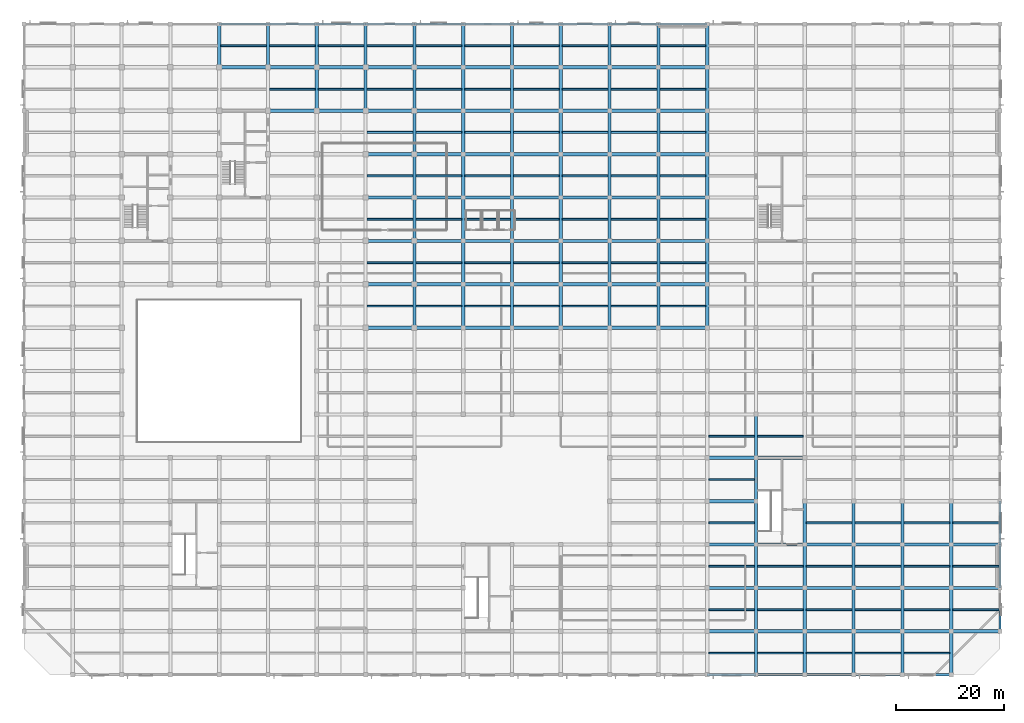
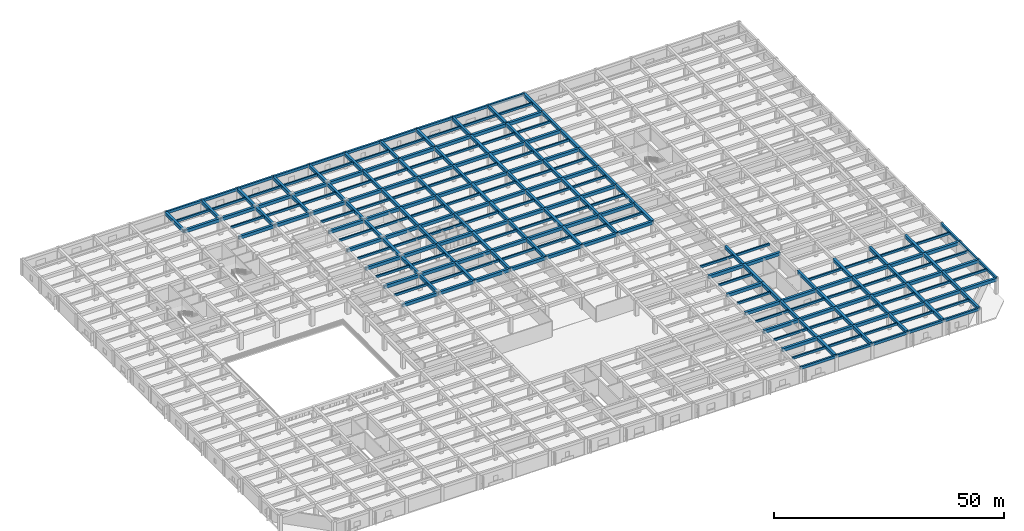
# One storey, part 4 of 32: 249 beams.
"""IFC4 building model written with IfcOpenShell, lengths in metres."""

from ifc_helpers import new_model, si_unit, direction, frame, origin, origin_2d, place, context, subcontext, project, spatial, rectangle, extrude, material, material_profile, profile_set, type_object, element, save


model = new_model("IFC4")

# Units and contexts
model_context = context("Model", 3, precision=1e-05, world=origin(), true_north=direction((0.0, 1.0)))
body_context = subcontext(model_context, "Body", "Model", "MODEL_VIEW")
ifc_project = project(units=[si_unit("LENGTHUNIT", "METRE"), si_unit("AREAUNIT", "SQUARE_METRE"), si_unit("VOLUMEUNIT", "CUBIC_METRE"), si_unit("PLANEANGLEUNIT", "RADIAN"), si_unit("MASSUNIT", "GRAM", prefix="KILO")], contexts=[model_context])

# Site, building, storey
site_placement = place(None, origin())
site = spatial("IfcSite", under=ifc_project, at=site_placement, CompositionType="ELEMENT")
building_placement = place(site_placement, origin())
building = spatial("IfcBuilding", under=site, at=building_placement, Name="Zaverband Oceanarium and Marine Research Institute", CompositionType="ELEMENT")
storey_placement = place(building_placement, frame((0.0, 0.0, 13.5)))
storey = spatial("IfcBuildingStorey", under=building, at=storey_placement, Name="L03", CompositionType="ELEMENT", Elevation=13.5)

# Beams
ifc_material = material(Name="Concrete C40/50", Category="concrete")
ifc_material_profile_1 = material_profile(ifc_material, rectangle(XDim=0.60009765625, YDim=0.85009765625, at=origin_2d()), Name="RC600x850")
ifc_profile_set_1 = profile_set([ifc_material_profile_1], Name="Concrete C40/50")
beam_type_1 = type_object("IfcBeamType", Name="BM-600x850", PredefinedType="BEAM", material=ifc_profile_set_1)
for number, where, z_axis, x_axis, name in (
    (1, (126.0, 8.0, 3.77490234375), (1.0, 0.0, 0.0), (0.0, 1.0, 0.0), "Primary floor girder BM-600x850"),
    (2, (135.0, 8.0, 3.77490234375), (1.0, 0.0, 0.0), (0.0, 1.0, 0.0), "Primary floor girder BM-600x850"),
    (3, (144.0, 8.0, 3.77490234375), (1.0, 0.0, 0.0), (0.0, 1.0, 0.0), "Primary floor girder BM-600x850"),
    (4, (153.0, 8.0, 3.77490234375), (1.0, 0.0, 0.0), (0.0, 1.0, 0.0), "Primary floor girder BM-600x850"),
    (5, (162.0, 8.0, 3.77490234375), (1.0, 0.0, 0.0), (0.0, 1.0, 0.0), "Primary floor girder BM-600x850"),
    (6, (171.0, 8.0, 3.77490234375), (1.0, 0.0, 0.0), (0.0, 1.0, 0.0), "Primary floor girder BM-600x850"),
    (7, (126.0, 16.0, 3.77490234375), (1.0, 0.0, 0.0), (0.0, 1.0, 0.0), "Primary floor girder BM-600x850"),
    (8, (135.0, 16.0, 3.77490234375), (1.0, 0.0, 0.0), (0.0, 1.0, 0.0), "Primary floor girder BM-600x850"),
    (9, (144.0, 16.0, 3.77490234375), (1.0, 0.0, 0.0), (0.0, 1.0, 0.0), "Primary floor girder BM-600x850"),
    (10, (153.0, 16.0, 3.77490234375), (1.0, 0.0, 0.0), (0.0, 1.0, 0.0), "Primary floor girder BM-600x850"),
    (11, (162.0, 16.0, 3.77490234375), (1.0, 0.0, 0.0), (0.0, 1.0, 0.0), "Primary floor girder BM-600x850"),
    (12, (171.0, 16.0, 3.77490234375), (1.0, 0.0, 0.0), (0.0, 1.0, 0.0), "Primary floor girder BM-600x850"),
    (13, (126.0, 24.0, 3.77490234375), (1.0, 0.0, 0.0), (0.0, 1.0, 0.0), "Primary floor girder BM-600x850"),
    (14, (135.0, 24.0, 3.77490234375), (1.0, 0.0, 0.0), (0.0, 1.0, 0.0), "Primary floor girder BM-600x850"),
    (15, (144.0, 24.0, 3.77490234375), (1.0, 0.0, 0.0), (0.0, 1.0, 0.0), "Primary floor girder BM-600x850"),
    (16, (153.0, 24.0, 3.77490234375), (1.0, 0.0, 0.0), (0.0, 1.0, 0.0), "Primary floor girder BM-600x850"),
    (17, (162.0, 24.0, 3.77490234375), (1.0, 0.0, 0.0), (0.0, 1.0, 0.0), "Primary floor girder BM-600x850"),
    (18, (171.0, 24.0, 3.77490234375), (1.0, 0.0, 0.0), (0.0, 1.0, 0.0), "Primary floor girder BM-600x850"),
    (19, (126.0, 32.0, 3.77490234375), (1.0, 0.0, 0.0), (0.0, 1.0, 0.0), "Primary floor girder BM-600x850"),
    (20, (126.0, 40.0, 3.77490234375), (1.0, 0.0, 0.0), (0.0, 1.0, 0.0), "Primary floor girder BM-600x850"),
    (21, (135.0, 40.0, 3.77490234375), (1.0, 0.0, 0.0), (0.0, 1.0, 0.0), "Primary floor girder BM-600x850"),
    (22, (63.0, 64.0, 3.77490234375), (1.0, 0.0, 0.0), (0.0, 1.0, 0.0), "Primary floor girder BM-600x850"),
    (23, (72.0, 64.0, 3.804931640625), (1.0, 0.0, 0.0), (0.0, 1.0, 0.0), "Primary floor girder BM-600x850"),
    (24, (81.0, 64.0, 3.804931640625), (1.0, 0.0, 0.0), (0.0, 1.0, 0.0), "Primary floor girder BM-600x850"),
    (25, (90.0, 64.0, 3.804931640625), (1.0, 0.0, 0.0), (0.0, 1.0, 0.0), "Primary floor girder BM-600x850"),
    (26, (99.0, 64.0, 3.804931640625), (1.0, 0.0, 0.0), (0.0, 1.0, 0.0), "Primary floor girder BM-600x850"),
    (27, (108.0, 64.0, 3.804931640625), (1.0, 0.0, 0.0), (0.0, 1.0, 0.0), "Primary floor girder BM-600x850"),
    (28, (117.0, 64.0, 3.804931640625), (1.0, 0.0, 0.0), (0.0, 1.0, 0.0), "Primary floor girder BM-600x850"),
    (29, (63.0, 72.0, 3.77490234375), (1.0, 0.0, 0.0), (0.0, 1.0, 0.0), "Primary floor girder BM-600x850"),
    (30, (72.0, 72.0, 3.804931640625), (1.0, 0.0, 0.0), (0.0, 1.0, 0.0), "Primary floor girder BM-600x850"),
    (31, (81.0, 72.0, 3.804931640625), (1.0, 0.0, 0.0), (0.0, 1.0, 0.0), "Primary floor girder BM-600x850"),
    (32, (90.0, 72.0, 3.804931640625), (1.0, 0.0, 0.0), (0.0, 1.0, 0.0), "Primary floor girder BM-600x850"),
    (33, (99.0, 72.0, 3.804931640625), (1.0, 0.0, 0.0), (0.0, 1.0, 0.0), "Primary floor girder BM-600x850"),
    (34, (108.0, 72.0, 3.804931640625), (1.0, 0.0, 0.0), (0.0, 1.0, 0.0), "Primary floor girder BM-600x850"),
    (35, (117.0, 72.0, 3.804931640625), (1.0, 0.0, 0.0), (0.0, 1.0, 0.0), "Primary floor girder BM-600x850"),
    (36, (63.0, 80.0, 3.77490234375), (1.0, 0.0, 0.0), (0.0, 1.0, 0.0), "Primary floor girder BM-600x850"),
    (37, (72.0, 80.0, 3.804931640625), (1.0, 0.0, 0.0), (0.0, 1.0, 0.0), "Primary floor girder BM-600x850"),
    (38, (81.0, 80.0, 3.804931640625), (1.0, 0.0, 0.0), (0.0, 1.0, 0.0), "Primary floor girder BM-600x850"),
    (39, (90.0, 80.0, 3.804931640625), (1.0, 0.0, 0.0), (0.0, 1.0, 0.0), "Primary floor girder BM-600x850"),
    (40, (99.0, 80.0, 3.804931640625), (1.0, 0.0, 0.0), (0.0, 1.0, 0.0), "Primary floor girder BM-600x850"),
    (41, (108.0, 80.0, 3.804931640625), (1.0, 0.0, 0.0), (0.0, 1.0, 0.0), "Primary floor girder BM-600x850"),
    (42, (117.0, 80.0, 3.804931640625), (1.0, 0.0, 0.0), (0.0, 1.0, 0.0), "Primary floor girder BM-600x850"),
    (43, (63.0, 88.0, 3.77490234375), (1.0, 0.0, 0.0), (0.0, 1.0, 0.0), "Primary floor girder BM-600x850"),
    (44, (72.0, 88.0, 3.804931640625), (1.0, 0.0, 0.0), (0.0, 1.0, 0.0), "Primary floor girder BM-600x850"),
    (45, (81.0, 88.0, 3.804931640625), (1.0, 0.0, 0.0), (0.0, 1.0, 0.0), "Primary floor girder BM-600x850"),
    (46, (90.0, 88.0, 3.804931640625), (1.0, 0.0, 0.0), (0.0, 1.0, 0.0), "Primary floor girder BM-600x850"),
    (47, (99.0, 88.0, 3.804931640625), (1.0, 0.0, 0.0), (0.0, 1.0, 0.0), "Primary floor girder BM-600x850"),
    (48, (108.0, 88.0, 3.804931640625), (1.0, 0.0, 0.0), (0.0, 1.0, 0.0), "Primary floor girder BM-600x850"),
    (49, (117.0, 88.0, 3.804931640625), (1.0, 0.0, 0.0), (0.0, 1.0, 0.0), "Primary floor girder BM-600x850"),
    (50, (63.0, 96.0, 3.77490234375), (1.0, 0.0, 0.0), (0.0, 1.0, 0.0), "Primary floor girder BM-600x850"),
    (51, (72.0, 96.0, 3.804931640625), (1.0, 0.0, 0.0), (0.0, 1.0, 0.0), "Primary floor girder BM-600x850"),
    (52, (81.0, 96.0, 3.804931640625), (1.0, 0.0, 0.0), (0.0, 1.0, 0.0), "Primary floor girder BM-600x850"),
    (53, (90.0, 96.0, 3.804931640625), (1.0, 0.0, 0.0), (0.0, 1.0, 0.0), "Primary floor girder BM-600x850"),
    (54, (99.0, 96.0, 3.804931640625), (1.0, 0.0, 0.0), (0.0, 1.0, 0.0), "Primary floor girder BM-600x850"),
    (55, (108.0, 96.0, 3.804931640625), (1.0, 0.0, 0.0), (0.0, 1.0, 0.0), "Primary floor girder BM-600x850"),
    (56, (117.0, 96.0, 3.804931640625), (1.0, 0.0, 0.0), (0.0, 1.0, 0.0), "Primary floor girder BM-600x850"),
    (57, (45.0, 104.0, 3.77490234375), (1.0, 0.0, 0.0), (0.0, 1.0, 0.0), "Primary floor girder BM-600x850"),
    (58, (54.0, 104.0, 3.77490234375), (1.0, 0.0, 0.0), (0.0, 1.0, 0.0), "Primary floor girder BM-600x850"),
    (59, (63.0, 104.0, 3.77490234375), (1.0, 0.0, 0.0), (0.0, 1.0, 0.0), "Primary floor girder BM-600x850"),
    (60, (72.0, 104.0, 3.804931640625), (1.0, 0.0, 0.0), (0.0, 1.0, 0.0), "Primary floor girder BM-600x850"),
    (61, (81.0, 104.0, 3.804931640625), (1.0, 0.0, 0.0), (0.0, 1.0, 0.0), "Primary floor girder BM-600x850"),
    (62, (90.0, 104.0, 3.804931640625), (1.0, 0.0, 0.0), (0.0, 1.0, 0.0), "Primary floor girder BM-600x850"),
    (63, (99.0, 104.0, 3.804931640625), (1.0, 0.0, 0.0), (0.0, 1.0, 0.0), "Primary floor girder BM-600x850"),
    (64, (108.0, 104.0, 3.804931640625), (1.0, 0.0, 0.0), (0.0, 1.0, 0.0), "Primary floor girder BM-600x850"),
    (65, (117.0, 104.0, 3.804931640625), (1.0, 0.0, 0.0), (0.0, 1.0, 0.0), "Primary floor girder BM-600x850"),
    (66, (36.0, 112.0, 3.77490234375), (1.0, 0.0, 0.0), (0.0, 1.0, 0.0), "Primary floor girder BM-600x850"),
    (67, (45.0, 112.0, 3.77490234375), (1.0, 0.0, 0.0), (0.0, 1.0, 0.0), "Primary floor girder BM-600x850"),
    (68, (54.0, 112.0, 3.77490234375), (1.0, 0.0, 0.0), (0.0, 1.0, 0.0), "Primary floor girder BM-600x850"),
    (69, (63.0, 112.0, 3.77490234375), (1.0, 0.0, 0.0), (0.0, 1.0, 0.0), "Primary floor girder BM-600x850"),
    (70, (72.0, 112.0, 3.804931640625), (1.0, 0.0, 0.0), (0.0, 1.0, 0.0), "Primary floor girder BM-600x850"),
    (71, (81.0, 112.0, 3.804931640625), (1.0, 0.0, 0.0), (0.0, 1.0, 0.0), "Primary floor girder BM-600x850"),
    (72, (90.0, 112.0, 3.804931640625), (1.0, 0.0, 0.0), (0.0, 1.0, 0.0), "Primary floor girder BM-600x850"),
    (73, (99.0, 112.0, 3.804931640625), (1.0, 0.0, 0.0), (0.0, 1.0, 0.0), "Primary floor girder BM-600x850"),
    (74, (108.0, 112.0, 3.804931640625), (1.0, 0.0, 0.0), (0.0, 1.0, 0.0), "Primary floor girder BM-600x850"),
    (75, (117.0, 112.0, 3.804931640625), (1.0, 0.0, 0.0), (0.0, 1.0, 0.0), "Primary floor girder BM-600x850"),
):
    element("IfcBeam", number, at=place(storey_placement, frame(where, z_axis=z_axis, x_axis=x_axis)), inside=storey, type_object=beam_type_1, Name=name, PredefinedType="BEAM", context=body_context, shape_type="SweptSolid", body=[
        extrude(rectangle(XDim=0.60009765625, YDim=0.85009765625, at=origin_2d()), origin(), (0.0, 0.0, 1.0), 9.0),
    ])
for number, where, z_axis, x_axis, name in (
    (76, (36.0, 112.0, 3.77490234375), (0.0, 1.0, 0.0), (-1.0, 0.0, 0.0), "Primary floor girder BM-600x850"),
    (77, (45.0, 112.0, 3.77490234375), (0.0, 1.0, 0.0), (-1.0, 0.0, 0.0), "Primary floor girder BM-600x850"),
    (78, (54.0, 104.0, 3.77490234375), (0.0, 1.0, 0.0), (-1.0, 0.0, 0.0), "Primary floor girder BM-600x850"),
    (79, (54.0, 112.0, 3.77490234375), (0.0, 1.0, 0.0), (-1.0, 0.0, 0.0), "Primary floor girder BM-600x850"),
    (80, (63.0, 104.0, 3.77490234375), (0.0, 1.0, 0.0), (-1.0, 0.0, 0.0), "Primary floor girder BM-600x850"),
    (81, (63.0, 112.0, 3.77490234375), (0.0, 1.0, 0.0), (-1.0, 0.0, 0.0), "Primary floor girder BM-600x850"),
    (82, (72.0, 64.0, 3.804931640625), (0.0, 1.0, 0.0), (-1.0, 0.0, 0.0), "Primary floor girder BM-600x850"),
    (83, (72.0, 72.0, 3.804931640625), (0.0, 1.0, 0.0), (-1.0, 0.0, 0.0), "Primary floor girder BM-600x850"),
    (84, (72.0, 80.0, 3.804931640625), (0.0, 1.0, 0.0), (-1.0, 0.0, 0.0), "Primary floor girder BM-600x850"),
    (85, (72.0, 88.0, 3.804931640625), (0.0, 1.0, 0.0), (-1.0, 0.0, 0.0), "Primary floor girder BM-600x850"),
    (86, (72.0, 96.0, 3.804931640625), (0.0, 1.0, 0.0), (-1.0, 0.0, 0.0), "Primary floor girder BM-600x850"),
    (87, (72.0, 104.0, 3.804931640625), (0.0, 1.0, 0.0), (-1.0, 0.0, 0.0), "Primary floor girder BM-600x850"),
    (88, (72.0, 112.0, 3.77490234375), (0.0, 1.0, 0.0), (-1.0, 0.0, 0.0), "Primary floor girder BM-600x850"),
    (89, (81.0, 64.0, 3.804931640625), (0.0, 1.0, 0.0), (-1.0, 0.0, 0.0), "Primary floor girder BM-600x850"),
    (90, (81.0, 72.0, 3.804931640625), (0.0, 1.0, 0.0), (-1.0, 0.0, 0.0), "Primary floor girder BM-600x850"),
    (91, (81.0, 80.0, 3.804931640625), (0.0, 1.0, 0.0), (-1.0, 0.0, 0.0), "Primary floor girder BM-600x850"),
    (92, (81.0, 88.0, 3.804931640625), (0.0, 1.0, 0.0), (-1.0, 0.0, 0.0), "Primary floor girder BM-600x850"),
    (93, (81.0, 96.0, 3.804931640625), (0.0, 1.0, 0.0), (-1.0, 0.0, 0.0), "Primary floor girder BM-600x850"),
    (94, (81.0, 104.0, 3.804931640625), (0.0, 1.0, 0.0), (-1.0, 0.0, 0.0), "Primary floor girder BM-600x850"),
    (95, (81.0, 112.0, 3.77490234375), (0.0, 1.0, 0.0), (-1.0, 0.0, 0.0), "Primary floor girder BM-600x850"),
    (96, (90.0, 64.0, 3.804931640625), (0.0, 1.0, 0.0), (-1.0, 0.0, 0.0), "Primary floor girder BM-600x850"),
    (97, (90.0, 72.0, 3.804931640625), (0.0, 1.0, 0.0), (-1.0, 0.0, 0.0), "Primary floor girder BM-600x850"),
    (98, (90.0, 80.0, 3.804931640625), (0.0, 1.0, 0.0), (-1.0, 0.0, 0.0), "Primary floor girder BM-600x850"),
    (99, (90.0, 88.0, 3.804931640625), (0.0, 1.0, 0.0), (-1.0, 0.0, 0.0), "Primary floor girder BM-600x850"),
    (100, (90.0, 96.0, 3.804931640625), (0.0, 1.0, 0.0), (-1.0, 0.0, 0.0), "Primary floor girder BM-600x850"),
    (101, (90.0, 104.0, 3.804931640625), (0.0, 1.0, 0.0), (-1.0, 0.0, 0.0), "Primary floor girder BM-600x850"),
    (102, (90.0, 112.0, 3.77490234375), (0.0, 1.0, 0.0), (-1.0, 0.0, 0.0), "Primary floor girder BM-600x850"),
    (103, (99.0, 64.0, 3.804931640625), (0.0, 1.0, 0.0), (-1.0, 0.0, 0.0), "Primary floor girder BM-600x850"),
    (104, (99.0, 72.0, 3.804931640625), (0.0, 1.0, 0.0), (-1.0, 0.0, 0.0), "Primary floor girder BM-600x850"),
    (105, (99.0, 80.0, 3.804931640625), (0.0, 1.0, 0.0), (-1.0, 0.0, 0.0), "Primary floor girder BM-600x850"),
    (106, (99.0, 88.0, 3.804931640625), (0.0, 1.0, 0.0), (-1.0, 0.0, 0.0), "Primary floor girder BM-600x850"),
    (107, (99.0, 96.0, 3.804931640625), (0.0, 1.0, 0.0), (-1.0, 0.0, 0.0), "Primary floor girder BM-600x850"),
    (108, (99.0, 104.0, 3.804931640625), (0.0, 1.0, 0.0), (-1.0, 0.0, 0.0), "Primary floor girder BM-600x850"),
    (109, (99.0, 112.0, 3.77490234375), (0.0, 1.0, 0.0), (-1.0, 0.0, 0.0), "Primary floor girder BM-600x850"),
    (110, (108.0, 64.0, 3.804931640625), (0.0, 1.0, 0.0), (-1.0, 0.0, 0.0), "Primary floor girder BM-600x850"),
    (111, (108.0, 72.0, 3.804931640625), (0.0, 1.0, 0.0), (-1.0, 0.0, 0.0), "Primary floor girder BM-600x850"),
    (112, (108.0, 80.0, 3.804931640625), (0.0, 1.0, 0.0), (-1.0, 0.0, 0.0), "Primary floor girder BM-600x850"),
    (113, (108.0, 88.0, 3.804931640625), (0.0, 1.0, 0.0), (-1.0, 0.0, 0.0), "Primary floor girder BM-600x850"),
    (114, (108.0, 96.0, 3.804931640625), (0.0, 1.0, 0.0), (-1.0, 0.0, 0.0), "Primary floor girder BM-600x850"),
    (115, (108.0, 104.0, 3.804931640625), (0.0, 1.0, 0.0), (-1.0, 0.0, 0.0), "Primary floor girder BM-600x850"),
    (116, (108.0, 112.0, 3.77490234375), (0.0, 1.0, 0.0), (-1.0, 0.0, 0.0), "Primary floor girder BM-600x850"),
    (117, (117.0, 64.0, 3.804931640625), (0.0, 1.0, 0.0), (-1.0, 0.0, 0.0), "Primary floor girder BM-600x850"),
    (118, (117.0, 72.0, 3.804931640625), (0.0, 1.0, 0.0), (-1.0, 0.0, 0.0), "Primary floor girder BM-600x850"),
    (119, (117.0, 80.0, 3.804931640625), (0.0, 1.0, 0.0), (-1.0, 0.0, 0.0), "Primary floor girder BM-600x850"),
    (120, (117.0, 88.0, 3.804931640625), (0.0, 1.0, 0.0), (-1.0, 0.0, 0.0), "Primary floor girder BM-600x850"),
    (121, (117.0, 96.0, 3.804931640625), (0.0, 1.0, 0.0), (-1.0, 0.0, 0.0), "Primary floor girder BM-600x850"),
    (122, (117.0, 104.0, 3.804931640625), (0.0, 1.0, 0.0), (-1.0, 0.0, 0.0), "Primary floor girder BM-600x850"),
    (123, (117.0, 112.0, 3.77490234375), (0.0, 1.0, 0.0), (-1.0, 0.0, 0.0), "Primary floor girder BM-600x850"),
    (124, (126.0, 64.0, 3.804931640625), (0.0, 1.0, 0.0), (-1.0, 0.0, 0.0), "Primary floor girder BM-600x850"),
    (125, (126.0, 72.0, 3.804931640625), (0.0, 1.0, 0.0), (-1.0, 0.0, 0.0), "Primary floor girder BM-600x850"),
    (126, (126.0, 80.0, 3.804931640625), (0.0, 1.0, 0.0), (-1.0, 0.0, 0.0), "Primary floor girder BM-600x850"),
    (127, (126.0, 88.0, 3.804931640625), (0.0, 1.0, 0.0), (-1.0, 0.0, 0.0), "Primary floor girder BM-600x850"),
    (128, (126.0, 96.0, 3.804931640625), (0.0, 1.0, 0.0), (-1.0, 0.0, 0.0), "Primary floor girder BM-600x850"),
    (129, (126.0, 104.0, 3.804931640625), (0.0, 1.0, 0.0), (-1.0, 0.0, 0.0), "Primary floor girder BM-600x850"),
    (130, (126.0, 112.0, 3.77490234375), (0.0, 1.0, 0.0), (-1.0, 0.0, 0.0), "Primary floor girder BM-600x850"),
    (131, (135.0, 0.0, 3.77490234375), (0.0, 1.0, 0.0), (-1.0, 0.0, 0.0), "Primary floor girder BM-600x850"),
    (132, (135.0, 8.0, 3.77490234375), (0.0, 1.0, 0.0), (-1.0, 0.0, 0.0), "Primary floor girder BM-600x850"),
    (133, (135.0, 16.0, 3.77490234375), (0.0, 1.0, 0.0), (-1.0, 0.0, 0.0), "Primary floor girder BM-600x850"),
    (134, (135.0, 24.0, 3.77490234375), (0.0, 1.0, 0.0), (-1.0, 0.0, 0.0), "Primary floor girder BM-600x850"),
    (135, (135.0, 32.0, 3.77490234375), (0.0, 1.0, 0.0), (-1.0, 0.0, 0.0), "Primary floor girder BM-600x850"),
    (136, (135.0, 40.0, 3.77490234375), (0.0, 1.0, 0.0), (-1.0, 0.0, 0.0), "Primary floor girder BM-600x850"),
    (137, (144.0, 0.0, 3.77490234375), (0.0, 1.0, 0.0), (-1.0, 0.0, 0.0), "Primary floor girder BM-600x850"),
    (138, (144.0, 8.0, 3.77490234375), (0.0, 1.0, 0.0), (-1.0, 0.0, 0.0), "Primary floor girder BM-600x850"),
    (139, (144.0, 16.0, 3.77490234375), (0.0, 1.0, 0.0), (-1.0, 0.0, 0.0), "Primary floor girder BM-600x850"),
    (140, (144.0, 24.0, 3.77490234375), (0.0, 1.0, 0.0), (-1.0, 0.0, 0.0), "Primary floor girder BM-600x850"),
    (141, (153.0, 0.0, 3.77490234375), (0.0, 1.0, 0.0), (-1.0, 0.0, 0.0), "Primary floor girder BM-600x850"),
    (142, (153.0, 8.0, 3.77490234375), (0.0, 1.0, 0.0), (-1.0, 0.0, 0.0), "Primary floor girder BM-600x850"),
    (143, (153.0, 16.0, 3.77490234375), (0.0, 1.0, 0.0), (-1.0, 0.0, 0.0), "Primary floor girder BM-600x850"),
    (144, (153.0, 24.0, 3.77490234375), (0.0, 1.0, 0.0), (-1.0, 0.0, 0.0), "Primary floor girder BM-600x850"),
    (145, (162.0, 0.0, 3.77490234375), (0.0, 1.0, 0.0), (-1.0, 0.0, 0.0), "Primary floor girder BM-600x850"),
    (146, (162.0, 8.0, 3.77490234375), (0.0, 1.0, 0.0), (-1.0, 0.0, 0.0), "Primary floor girder BM-600x850"),
    (147, (162.0, 16.0, 3.77490234375), (0.0, 1.0, 0.0), (-1.0, 0.0, 0.0), "Primary floor girder BM-600x850"),
    (148, (162.0, 24.0, 3.77490234375), (0.0, 1.0, 0.0), (-1.0, 0.0, 0.0), "Primary floor girder BM-600x850"),
    (149, (171.0, 0.0, 3.77490234375), (0.0, 1.0, 0.0), (-1.0, 0.0, 0.0), "Primary floor girder BM-600x850"),
    (150, (171.0, 8.0, 3.77490234375), (0.0, 1.0, 0.0), (-1.0, 0.0, 0.0), "Primary floor girder BM-600x850"),
    (151, (171.0, 16.0, 3.77490234375), (0.0, 1.0, 0.0), (-1.0, 0.0, 0.0), "Primary floor girder BM-600x850"),
    (152, (171.0, 24.0, 3.77490234375), (0.0, 1.0, 0.0), (-1.0, 0.0, 0.0), "Primary floor girder BM-600x850"),
):
    element("IfcBeam", number, at=place(storey_placement, frame(where, z_axis=z_axis, x_axis=x_axis)), inside=storey, type_object=beam_type_1, Name=name, PredefinedType="BEAM", context=body_context, shape_type="SweptSolid", body=[
        extrude(rectangle(XDim=0.60009765625, YDim=0.85009765625, at=origin_2d()), origin(), (0.0, 0.0, 1.0), 8.0),
    ])
ifc_material_profile_2 = material_profile(ifc_material, rectangle(XDim=0.35009765625, YDim=0.60009765625, at=origin_2d()), Name="RC350x600")
ifc_profile_set_2 = profile_set([ifc_material_profile_2], Name="Concrete C40/50")
beam_type_2 = type_object("IfcBeamType", Name="JST-350x600", PredefinedType="JOIST", material=ifc_profile_set_2)
for number, where, z_axis, x_axis, name in (
    (153, (36.300048828125, 116.0, 3.89990234375), (1.0, 0.0, 0.0), (0.0, 1.0, 0.0), "Secondary floor joist JST-350x600"),
    (154, (45.300048828125, 108.0, 3.89990234375), (1.0, 0.0, 0.0), (0.0, 1.0, 0.0), "Secondary floor joist JST-350x600"),
    (155, (45.300048828125, 116.0, 3.89990234375), (1.0, 0.0, 0.0), (0.0, 1.0, 0.0), "Secondary floor joist JST-350x600"),
    (156, (54.300048828125, 108.0, 3.89990234375), (1.0, 0.0, 0.0), (0.0, 1.0, 0.0), "Secondary floor joist JST-350x600"),
    (157, (54.300048828125, 116.0, 3.89990234375), (1.0, 0.0, 0.0), (0.0, 1.0, 0.0), "Secondary floor joist JST-350x600"),
    (158, (63.300048828125, 68.0, 3.89990234375), (1.0, 0.0, 0.0), (0.0, 1.0, 0.0), "Secondary floor joist JST-350x600"),
    (159, (63.300048828125, 76.0, 3.89990234375), (1.0, 0.0, 0.0), (0.0, 1.0, 0.0), "Secondary floor joist JST-350x600"),
    (160, (63.300048828125, 84.0, 3.89990234375), (1.0, 0.0, 0.0), (0.0, 1.0, 0.0), "Secondary floor joist JST-350x600"),
    (161, (63.300048828125, 92.0, 3.89990234375), (1.0, 0.0, 0.0), (0.0, 1.0, 0.0), "Secondary floor joist JST-350x600"),
    (162, (63.300048828125, 100.0, 3.89990234375), (1.0, 0.0, 0.0), (0.0, 1.0, 0.0), "Secondary floor joist JST-350x600"),
    (163, (63.300048828125, 108.0, 3.89990234375), (1.0, 0.0, 0.0), (0.0, 1.0, 0.0), "Secondary floor joist JST-350x600"),
    (164, (63.300048828125, 116.0, 3.89990234375), (1.0, 0.0, 0.0), (0.0, 1.0, 0.0), "Secondary floor joist JST-350x600"),
    (165, (72.300048828125, 68.0, 3.929931640625), (1.0, 0.0, 0.0), (0.0, 1.0, 0.0), "Secondary floor joist JST-350x600"),
    (166, (72.300048828125, 76.0, 3.929931640625), (1.0, 0.0, 0.0), (0.0, 1.0, 0.0), "Secondary floor joist JST-350x600"),
    (167, (72.300048828125, 84.0, 3.929931640625), (1.0, 0.0, 0.0), (0.0, 1.0, 0.0), "Secondary floor joist JST-350x600"),
    (168, (72.300048828125, 92.0, 3.929931640625), (1.0, 0.0, 0.0), (0.0, 1.0, 0.0), "Secondary floor joist JST-350x600"),
    (169, (72.300048828125, 100.0, 3.929931640625), (1.0, 0.0, 0.0), (0.0, 1.0, 0.0), "Secondary floor joist JST-350x600"),
    (170, (72.300048828125, 108.0, 3.929931640625), (1.0, 0.0, 0.0), (0.0, 1.0, 0.0), "Secondary floor joist JST-350x600"),
    (171, (72.300048828125, 116.0, 3.89990234375), (1.0, 0.0, 0.0), (0.0, 1.0, 0.0), "Secondary floor joist JST-350x600"),
    (172, (81.300048828125, 68.0, 3.929931640625), (1.0, 0.0, 0.0), (0.0, 1.0, 0.0), "Secondary floor joist JST-350x600"),
    (173, (81.300048828125, 76.0, 3.929931640625), (1.0, 0.0, 0.0), (0.0, 1.0, 0.0), "Secondary floor joist JST-350x600"),
    (174, (81.300048828125, 84.0, 3.929931640625), (1.0, 0.0, 0.0), (0.0, 1.0, 0.0), "Secondary floor joist JST-350x600"),
    (175, (81.300048828125, 92.0, 3.929931640625), (1.0, 0.0, 0.0), (0.0, 1.0, 0.0), "Secondary floor joist JST-350x600"),
    (176, (81.300048828125, 100.0, 3.929931640625), (1.0, 0.0, 0.0), (0.0, 1.0, 0.0), "Secondary floor joist JST-350x600"),
    (177, (81.300048828125, 108.0, 3.929931640625), (1.0, 0.0, 0.0), (0.0, 1.0, 0.0), "Secondary floor joist JST-350x600"),
    (178, (81.300048828125, 116.0, 3.89990234375), (1.0, 0.0, 0.0), (0.0, 1.0, 0.0), "Secondary floor joist JST-350x600"),
    (179, (90.300048828125, 68.0, 3.929931640625), (1.0, 0.0, 0.0), (0.0, 1.0, 0.0), "Secondary floor joist JST-350x600"),
    (180, (90.300048828125, 76.0, 3.929931640625), (1.0, 0.0, 0.0), (0.0, 1.0, 0.0), "Secondary floor joist JST-350x600"),
    (181, (90.300048828125, 84.0, 3.929931640625), (1.0, 0.0, 0.0), (0.0, 1.0, 0.0), "Secondary floor joist JST-350x600"),
    (182, (90.300048828125, 92.0, 3.929931640625), (1.0, 0.0, 0.0), (0.0, 1.0, 0.0), "Secondary floor joist JST-350x600"),
    (183, (90.300048828125, 100.0, 3.929931640625), (1.0, 0.0, 0.0), (0.0, 1.0, 0.0), "Secondary floor joist JST-350x600"),
    (184, (90.300048828125, 108.0, 3.929931640625), (1.0, 0.0, 0.0), (0.0, 1.0, 0.0), "Secondary floor joist JST-350x600"),
    (185, (90.300048828125, 116.0, 3.89990234375), (1.0, 0.0, 0.0), (0.0, 1.0, 0.0), "Secondary floor joist JST-350x600"),
    (186, (99.300048828125, 68.0, 3.929931640625), (1.0, 0.0, 0.0), (0.0, 1.0, 0.0), "Secondary floor joist JST-350x600"),
    (187, (99.300048828125, 76.0, 3.929931640625), (1.0, 0.0, 0.0), (0.0, 1.0, 0.0), "Secondary floor joist JST-350x600"),
    (188, (99.300048828125, 84.0, 3.929931640625), (1.0, 0.0, 0.0), (0.0, 1.0, 0.0), "Secondary floor joist JST-350x600"),
    (189, (99.300048828125, 92.0, 3.929931640625), (1.0, 0.0, 0.0), (0.0, 1.0, 0.0), "Secondary floor joist JST-350x600"),
    (190, (99.300048828125, 100.0, 3.929931640625), (1.0, 0.0, 0.0), (0.0, 1.0, 0.0), "Secondary floor joist JST-350x600"),
    (191, (99.300048828125, 108.0, 3.929931640625), (1.0, 0.0, 0.0), (0.0, 1.0, 0.0), "Secondary floor joist JST-350x600"),
    (192, (99.300048828125, 116.0, 3.89990234375), (1.0, 0.0, 0.0), (0.0, 1.0, 0.0), "Secondary floor joist JST-350x600"),
    (193, (108.300048828125, 68.0, 3.929931640625), (1.0, 0.0, 0.0), (0.0, 1.0, 0.0), "Secondary floor joist JST-350x600"),
    (194, (108.300048828125, 76.0, 3.929931640625), (1.0, 0.0, 0.0), (0.0, 1.0, 0.0), "Secondary floor joist JST-350x600"),
    (195, (108.300048828125, 84.0, 3.929931640625), (1.0, 0.0, 0.0), (0.0, 1.0, 0.0), "Secondary floor joist JST-350x600"),
    (196, (108.300048828125, 92.0, 3.929931640625), (1.0, 0.0, 0.0), (0.0, 1.0, 0.0), "Secondary floor joist JST-350x600"),
    (197, (108.300048828125, 100.0, 3.929931640625), (1.0, 0.0, 0.0), (0.0, 1.0, 0.0), "Secondary floor joist JST-350x600"),
    (198, (108.300048828125, 108.0, 3.929931640625), (1.0, 0.0, 0.0), (0.0, 1.0, 0.0), "Secondary floor joist JST-350x600"),
    (199, (108.300048828125, 116.0, 3.89990234375), (1.0, 0.0, 0.0), (0.0, 1.0, 0.0), "Secondary floor joist JST-350x600"),
    (200, (117.300048828125, 68.0, 3.929931640625), (1.0, 0.0, 0.0), (0.0, 1.0, 0.0), "Secondary floor joist JST-350x600"),
    (201, (117.300048828125, 76.0, 3.929931640625), (1.0, 0.0, 0.0), (0.0, 1.0, 0.0), "Secondary floor joist JST-350x600"),
    (202, (117.300048828125, 84.0, 3.929931640625), (1.0, 0.0, 0.0), (0.0, 1.0, 0.0), "Secondary floor joist JST-350x600"),
    (203, (117.300048828125, 92.0, 3.929931640625), (1.0, 0.0, 0.0), (0.0, 1.0, 0.0), "Secondary floor joist JST-350x600"),
    (204, (117.300048828125, 100.0, 3.929931640625), (1.0, 0.0, 0.0), (0.0, 1.0, 0.0), "Secondary floor joist JST-350x600"),
    (205, (117.300048828125, 108.0, 3.929931640625), (1.0, 0.0, 0.0), (0.0, 1.0, 0.0), "Secondary floor joist JST-350x600"),
    (206, (117.300048828125, 116.0, 3.89990234375), (1.0, 0.0, 0.0), (0.0, 1.0, 0.0), "Secondary floor joist JST-350x600"),
    (207, (126.300048828125, 4.0, 3.89990234375), (1.0, 0.0, 0.0), (0.0, 1.0, 0.0), "Secondary floor joist JST-350x600"),
    (208, (126.300048828125, 12.0, 3.89990234375), (1.0, 0.0, 0.0), (0.0, 1.0, 0.0), "Secondary floor joist JST-350x600"),
    (209, (126.300048828125, 20.0, 3.89990234375), (1.0, 0.0, 0.0), (0.0, 1.0, 0.0), "Secondary floor joist JST-350x600"),
    (210, (126.300048828125, 28.0, 3.89990234375), (1.0, 0.0, 0.0), (0.0, 1.0, 0.0), "Secondary floor joist JST-350x600"),
    (211, (126.300048828125, 36.0, 3.89990234375), (1.0, 0.0, 0.0), (0.0, 1.0, 0.0), "Secondary floor joist JST-350x600"),
    (212, (126.300048828125, 44.0, 3.89990234375), (1.0, 0.0, 0.0), (0.0, 1.0, 0.0), "Secondary floor joist JST-350x600"),
    (213, (135.300048828125, 4.0, 3.89990234375), (1.0, 0.0, 0.0), (0.0, 1.0, 0.0), "Secondary floor joist JST-350x600"),
    (214, (135.300048828125, 12.0, 3.89990234375), (1.0, 0.0, 0.0), (0.0, 1.0, 0.0), "Secondary floor joist JST-350x600"),
    (215, (135.300048828125, 20.0, 3.89990234375), (1.0, 0.0, 0.0), (0.0, 1.0, 0.0), "Secondary floor joist JST-350x600"),
    (216, (135.300048828125, 44.0, 3.89990234375), (1.0, 0.0, 0.0), (0.0, 1.0, 0.0), "Secondary floor joist JST-350x600"),
    (217, (144.300048828125, 4.0, 3.89990234375), (1.0, 0.0, 0.0), (0.0, 1.0, 0.0), "Secondary floor joist JST-350x600"),
    (218, (144.300048828125, 12.0, 3.89990234375), (1.0, 0.0, 0.0), (0.0, 1.0, 0.0), "Secondary floor joist JST-350x600"),
    (219, (144.300048828125, 20.0, 3.89990234375), (1.0, 0.0, 0.0), (0.0, 1.0, 0.0), "Secondary floor joist JST-350x600"),
    (220, (144.300048828125, 28.0, 3.89990234375), (1.0, 0.0, 0.0), (0.0, 1.0, 0.0), "Secondary floor joist JST-350x600"),
    (221, (153.300048828125, 4.0, 3.89990234375), (1.0, 0.0, 0.0), (0.0, 1.0, 0.0), "Secondary floor joist JST-350x600"),
    (222, (153.300048828125, 12.0, 3.89990234375), (1.0, 0.0, 0.0), (0.0, 1.0, 0.0), "Secondary floor joist JST-350x600"),
    (223, (153.300048828125, 20.0, 3.89990234375), (1.0, 0.0, 0.0), (0.0, 1.0, 0.0), "Secondary floor joist JST-350x600"),
    (224, (153.300048828125, 28.0, 3.89990234375), (1.0, 0.0, 0.0), (0.0, 1.0, 0.0), "Secondary floor joist JST-350x600"),
    (225, (162.300048828125, 4.0, 3.89990234375), (1.0, 0.0, 0.0), (0.0, 1.0, 0.0), "Secondary floor joist JST-350x600"),
    (226, (162.300048828125, 12.0, 3.89990234375), (1.0, 0.0, 0.0), (0.0, 1.0, 0.0), "Secondary floor joist JST-350x600"),
    (227, (162.300048828125, 20.0, 3.89990234375), (1.0, 0.0, 0.0), (0.0, 1.0, 0.0), "Secondary floor joist JST-350x600"),
    (228, (162.300048828125, 28.0, 3.89990234375), (1.0, 0.0, 0.0), (0.0, 1.0, 0.0), "Secondary floor joist JST-350x600"),
):
    element("IfcBeam", number, at=place(storey_placement, frame(where, z_axis=z_axis, x_axis=x_axis)), inside=storey, type_object=beam_type_2, Name=name, PredefinedType="JOIST", context=body_context, shape_type="SweptSolid", body=[
        extrude(rectangle(XDim=0.35009765625, YDim=0.60009765625, at=origin_2d()), origin(), (0.0, 0.0, 1.0), 8.39990234375),
    ])
for number, where, z_axis, x_axis, name in (
    (229, (171.300048828125, 12.0, 3.89990234375), (1.0, 0.0, 0.0), (0.0, 1.0, 0.0), "Secondary floor joist JST-350x600"),
    (230, (171.300048828125, 20.0, 3.89990234375), (1.0, 0.0, 0.0), (0.0, 1.0, 0.0), "Secondary floor joist JST-350x600"),
    (231, (171.300048828125, 28.0, 3.89990234375), (1.0, 0.0, 0.0), (0.0, 1.0, 0.0), "Secondary floor joist JST-350x600"),
):
    element("IfcBeam", number, at=place(storey_placement, frame(where, z_axis=z_axis, x_axis=x_axis)), inside=storey, type_object=beam_type_2, Name=name, PredefinedType="JOIST", context=body_context, shape_type="SweptSolid", body=[
        extrude(rectangle(XDim=0.35009765625, YDim=0.60009765625, at=origin_2d()), origin(), (0.0, 0.0, 1.0), 8.474853515625),
    ])
ifc_material_profile_3 = material_profile(ifc_material, rectangle(XDim=0.449951171875, YDim=0.699951171875, at=origin_2d()), Name="RC450x700")
ifc_profile_set_3 = profile_set([ifc_material_profile_3], Name="Concrete C40/50")
beam_type_3 = type_object("IfcBeamType", Name="SPN-450x700", PredefinedType="SPANDREL", material=ifc_profile_set_3)
for number, where, z_axis, x_axis, name in (
    (232, (126.0, 0.0, 3.85009765625), (1.0, 0.0, 0.0), (0.0, 1.0, 0.0), "Perimeter spandrel beam SPN-450x700"),
    (233, (135.0, 0.0, 3.85009765625), (1.0, 0.0, 0.0), (0.0, 1.0, 0.0), "Perimeter spandrel beam SPN-450x700"),
    (234, (144.0, 0.0, 3.85009765625), (1.0, 0.0, 0.0), (0.0, 1.0, 0.0), "Perimeter spandrel beam SPN-450x700"),
    (235, (153.0, 0.0, 3.85009765625), (1.0, 0.0, 0.0), (0.0, 1.0, 0.0), "Perimeter spandrel beam SPN-450x700"),
    (236, (162.0, 0.0, 3.85009765625), (1.0, 0.0, 0.0), (0.0, 1.0, 0.0), "Perimeter spandrel beam SPN-450x700"),
    (237, (36.0, 120.0, 3.85009765625), (1.0, 0.0, 0.0), (0.0, 1.0, 0.0), "Perimeter spandrel beam SPN-450x700"),
    (238, (45.0, 120.0, 3.85009765625), (1.0, 0.0, 0.0), (0.0, 1.0, 0.0), "Perimeter spandrel beam SPN-450x700"),
    (239, (54.0, 120.0, 3.85009765625), (1.0, 0.0, 0.0), (0.0, 1.0, 0.0), "Perimeter spandrel beam SPN-450x700"),
    (240, (63.0, 120.0, 3.85009765625), (1.0, 0.0, 0.0), (0.0, 1.0, 0.0), "Perimeter spandrel beam SPN-450x700"),
    (241, (72.0, 120.0, 3.85009765625), (1.0, 0.0, 0.0), (0.0, 1.0, 0.0), "Perimeter spandrel beam SPN-450x700"),
    (242, (81.0, 120.0, 3.85009765625), (1.0, 0.0, 0.0), (0.0, 1.0, 0.0), "Perimeter spandrel beam SPN-450x700"),
    (243, (90.0, 120.0, 3.85009765625), (1.0, 0.0, 0.0), (0.0, 1.0, 0.0), "Perimeter spandrel beam SPN-450x700"),
    (244, (99.0, 120.0, 3.85009765625), (1.0, 0.0, 0.0), (0.0, 1.0, 0.0), "Perimeter spandrel beam SPN-450x700"),
    (245, (108.0, 120.0, 3.85009765625), (1.0, 0.0, 0.0), (0.0, 1.0, 0.0), "Perimeter spandrel beam SPN-450x700"),
    (246, (117.0, 120.0, 3.85009765625), (1.0, 0.0, 0.0), (0.0, 1.0, 0.0), "Perimeter spandrel beam SPN-450x700"),
):
    element("IfcBeam", number, at=place(storey_placement, frame(where, z_axis=z_axis, x_axis=x_axis)), inside=storey, type_object=beam_type_3, Name=name, PredefinedType="SPANDREL", context=body_context, shape_type="SweptSolid", body=[
        extrude(rectangle(XDim=0.449951171875, YDim=0.699951171875, at=origin_2d()), origin(), (0.0, 0.0, 1.0), 9.0),
    ])
for number, where, z_axis, x_axis, name in (
    (247, (180.0, 8.0, 3.85009765625), (0.0, 1.0, 0.0), (-1.0, 0.0, 0.0), "Perimeter spandrel beam SPN-450x700"),
    (248, (180.0, 16.0, 3.85009765625), (0.0, 1.0, 0.0), (-1.0, 0.0, 0.0), "Perimeter spandrel beam SPN-450x700"),
    (249, (180.0, 24.0, 3.85009765625), (0.0, 1.0, 0.0), (-1.0, 0.0, 0.0), "Perimeter spandrel beam SPN-450x700"),
):
    element("IfcBeam", number, at=place(storey_placement, frame(where, z_axis=z_axis, x_axis=x_axis)), inside=storey, type_object=beam_type_3, Name=name, PredefinedType="SPANDREL", context=body_context, shape_type="SweptSolid", body=[
        extrude(rectangle(XDim=0.449951171875, YDim=0.699951171875, at=origin_2d()), origin(), (0.0, 0.0, 1.0), 8.0),
    ])

save(model, "model.ifc")
